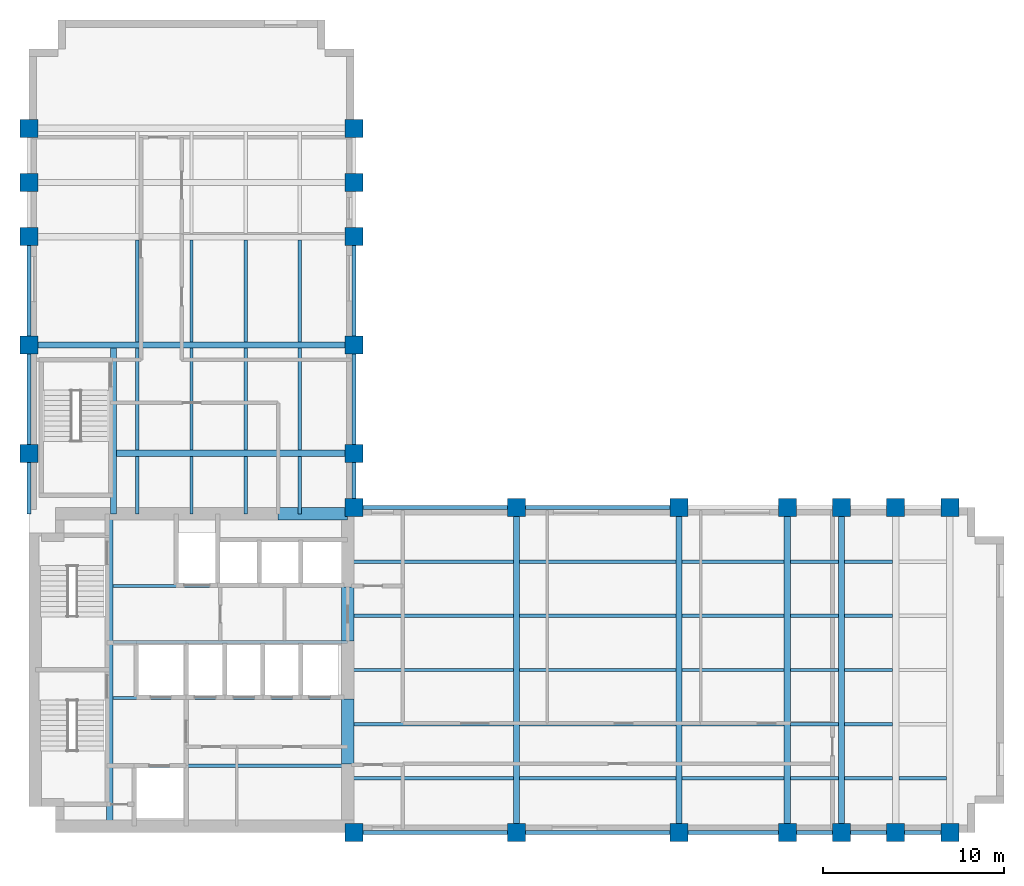
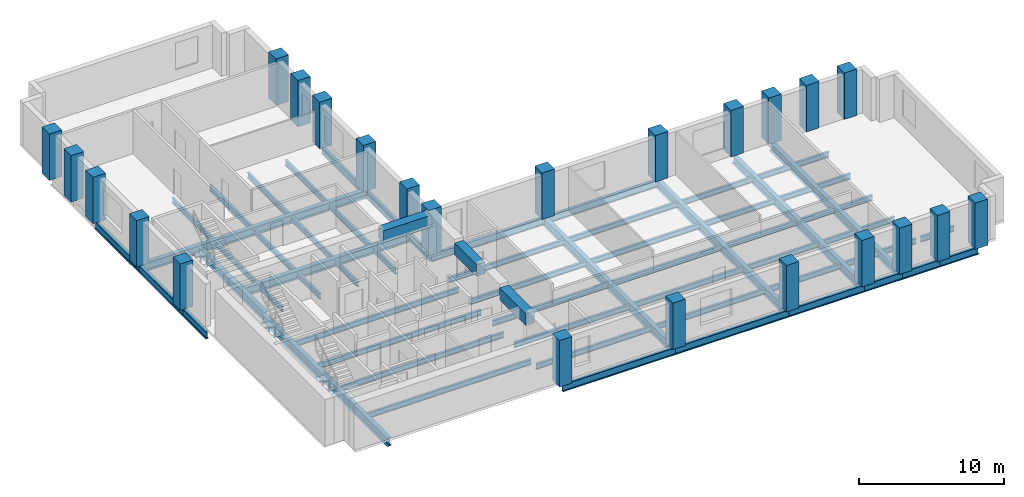
# One storey, part 1 of 7: 67 beams, 24 columns.
"""IFC4 building model written with IfcOpenShell, lengths in metres."""

from ifc_helpers import new_model, si_unit, direction, frame, origin, origin_2d, place, context, subcontext, project, spatial, rectangle, i_section, extrude, material, material_profile, profile_set, type_object, element, save


model = new_model("IFC4")

# Units and contexts
model_context = context("Model", 3, precision=1e-05, world=origin(), true_north=direction((0.0, 1.0)))
body_context = subcontext(model_context, "Body", "Model", "MODEL_VIEW")
ifc_project = project(units=[si_unit("LENGTHUNIT", "METRE"), si_unit("AREAUNIT", "SQUARE_METRE"), si_unit("VOLUMEUNIT", "CUBIC_METRE"), si_unit("PLANEANGLEUNIT", "RADIAN"), si_unit("MASSUNIT", "GRAM", prefix="KILO")], contexts=[model_context])

# Site, building, storey
site_placement = place(None, origin())
site = spatial("IfcSite", under=ifc_project, at=site_placement, CompositionType="ELEMENT")
building_placement = place(site_placement, origin())
building = spatial("IfcBuilding", under=site, at=building_placement, Name="Mawjdan Bourse Tower", CompositionType="ELEMENT")
storey_placement = place(building_placement, frame((0.0, 0.0, 151.800048828125)))
storey = spatial("IfcBuildingStorey", under=building, at=storey_placement, Name="L36", CompositionType="ELEMENT", Elevation=151.800048828125)

# Columns
ifc_material_1 = material(Name="Concrete C70/85", Category="concrete")
ifc_material_profile_1 = material_profile(ifc_material_1, rectangle(XDim=1.0, YDim=1.0, at=origin_2d()), Name="RC1000X1000")
ifc_profile_set_1 = profile_set([ifc_material_profile_1], Name="Concrete C70/85")
column_type = type_object("IfcColumnType", Name="COL-RC1000X1000", PredefinedType="COLUMN", material=ifc_profile_set_1)
for number, where, z_axis, x_axis, name in (
    (1, (24.0, 3.0, 0.0), (0.0, 0.0, 1.0), (1.0, 0.0, 0.0), "L36 Structural Column C-X240-Y30"),
    (2, (24.0, 21.0, 0.0), (0.0, 0.0, 1.0), (1.0, 0.0, 0.0), "L36 Structural Column C-X240-Y210"),
    (3, (33.0, 3.0, 0.0), (0.0, 0.0, 1.0), (1.0, 0.0, 0.0), "L36 Structural Column C-X330-Y30"),
    (4, (33.0, 21.0, 0.0), (0.0, 0.0, 1.0), (1.0, 0.0, 0.0), "L36 Structural Column C-X330-Y210"),
    (5, (42.0, 3.0, 0.0), (0.0, 0.0, 1.0), (1.0, 0.0, 0.0), "L36 Structural Column C-X420-Y30"),
    (6, (42.0, 21.0, 0.0), (0.0, 0.0, 1.0), (1.0, 0.0, 0.0), "L36 Structural Column C-X420-Y210"),
    (7, (48.0, 3.0, 0.0), (0.0, 0.0, 1.0), (1.0, 0.0, 0.0), "L36 Structural Column C-X480-Y30"),
    (8, (48.0, 21.0, 0.0), (0.0, 0.0, 1.0), (1.0, 0.0, 0.0), "L36 Structural Column C-X480-Y210"),
    (9, (51.0, 3.0, 0.0), (0.0, 0.0, 1.0), (1.0, 0.0, 0.0), "L36 Structural Column C-X510-Y30"),
    (10, (51.0, 21.0, 0.0), (0.0, 0.0, 1.0), (1.0, 0.0, 0.0), "L36 Structural Column C-X510-Y210"),
    (11, (54.0, 3.0, 0.0), (0.0, 0.0, 1.0), (1.0, 0.0, 0.0), "L36 Structural Column C-X540-Y30"),
    (12, (54.0, 21.0, 0.0), (0.0, 0.0, 1.0), (1.0, 0.0, 0.0), "L36 Structural Column C-X540-Y210"),
    (13, (57.0, 3.0, 0.0), (0.0, 0.0, 1.0), (1.0, 0.0, 0.0), "L36 Structural Column C-X570-Y30"),
    (14, (57.0, 21.0, 0.0), (0.0, 0.0, 1.0), (1.0, 0.0, 0.0), "L36 Structural Column C-X570-Y210"),
    (15, (6.0, 24.0, 0.0), (0.0, 0.0, 1.0), (1.0, 0.0, 0.0), "L36 Structural Column C-X60-Y240"),
    (16, (24.0, 24.0, 0.0), (0.0, 0.0, 1.0), (1.0, 0.0, 0.0), "L36 Structural Column C-X240-Y240"),
    (17, (6.0, 30.0, 0.0), (0.0, 0.0, 1.0), (1.0, 0.0, 0.0), "L36 Structural Column C-X60-Y300"),
    (18, (24.0, 30.0, 0.0), (0.0, 0.0, 1.0), (1.0, 0.0, 0.0), "L36 Structural Column C-X240-Y300"),
    (19, (6.0, 36.0, 0.0), (0.0, 0.0, 1.0), (1.0, 0.0, 0.0), "L36 Structural Column C-X60-Y360"),
    (20, (24.0, 36.0, 0.0), (0.0, 0.0, 1.0), (1.0, 0.0, 0.0), "L36 Structural Column C-X240-Y360"),
    (21, (6.0, 39.0, 0.0), (0.0, 0.0, 1.0), (1.0, 0.0, 0.0), "L36 Structural Column C-X60-Y390"),
    (22, (24.0, 39.0, 0.0), (0.0, 0.0, 1.0), (1.0, 0.0, 0.0), "L36 Structural Column C-X240-Y390"),
    (23, (6.0, 42.0, 0.0), (0.0, 0.0, 1.0), (1.0, 0.0, 0.0), "L36 Structural Column C-X60-Y420"),
    (24, (24.0, 42.0, 0.0), (0.0, 0.0, 1.0), (1.0, 0.0, 0.0), "L36 Structural Column C-X240-Y420"),
):
    element("IfcColumn", number, at=place(storey_placement, frame(where, z_axis=z_axis, x_axis=x_axis)), inside=storey, type_object=column_type, Name=name, PredefinedType="COLUMN", context=body_context, shape_type="SweptSolid", body=[
        extrude(rectangle(XDim=1.0, YDim=1.0, at=origin_2d()), origin(), (0.0, 0.0, 1.0), 3.89990234375),
    ])

# Beams
ifc_material_2 = material(Name="Structural Steel S355", Category="steel")
ifc_material_profile_2 = material_profile(ifc_material_2, i_section(OverallWidth=0.35498046875, OverallDepth=0.696044921875, WebThickness=0.015380859375, FlangeThickness=0.02490234375, FilletRadius=0.019775390625, at=origin_2d()), Name="W27X146")
ifc_profile_set_2 = profile_set([ifc_material_profile_2], Name="Structural Steel S355")
beam_type_1 = type_object("IfcBeamType", Name="GRD-W27X146", PredefinedType="BEAM", material=ifc_profile_set_2)
beam_1_placement = place(storey_placement, frame((10.47998046875, 3.35009765625, -0.548095703125), z_axis=(0.0, 1.0, 0.0), x_axis=(-1.0, 0.0, 0.0)))
element("IfcBeam", 25, at=beam_1_placement, inside=storey, type_object=beam_type_1, Name="L36 Core Stair Trimmer Girder 001", PredefinedType="BEAM", context=body_context, shape_type="SweptSolid", body=[
    extrude(i_section(OverallWidth=0.35498046875, OverallDepth=0.696044921875, WebThickness=0.015380859375, FlangeThickness=0.02490234375, FilletRadius=0.019775390625, at=origin_2d()), origin(), (0.0, 0.0, 1.0), 17.2998046875),
])
for number, where, z_axis, x_axis, name in (
    (26, (33.0, 3.0, -0.548095703125), (0.0, 1.0, 0.0), (-1.0, 0.0, 0.0), "L36 East Wing Clear-Span Girder 002"),
    (27, (42.0, 3.0, -0.548095703125), (0.0, 1.0, 0.0), (-1.0, 0.0, 0.0), "L36 East Wing Clear-Span Girder 003"),
    (28, (48.0, 3.0, -0.548095703125), (0.0, 1.0, 0.0), (-1.0, 0.0, 0.0), "L36 East Wing Clear-Span Girder 004"),
    (29, (51.0, 3.0, -0.548095703125), (0.0, 1.0, 0.0), (-1.0, 0.0, 0.0), "L36 East Wing Clear-Span Girder 005"),
):
    element("IfcBeam", number, at=place(storey_placement, frame(where, z_axis=z_axis, x_axis=x_axis)), inside=storey, type_object=beam_type_1, Name=name, PredefinedType="BEAM", context=body_context, shape_type="SweptSolid", body=[
        extrude(i_section(OverallWidth=0.35498046875, OverallDepth=0.696044921875, WebThickness=0.015380859375, FlangeThickness=0.02490234375, FilletRadius=0.019775390625, at=origin_2d()), origin(), (0.0, 0.0, 1.0), 18.0),
    ])
beam_2_placement = place(storey_placement, frame((10.679931640625, 20.64990234375, -0.548095703125), z_axis=(0.0, 1.0, 0.0), x_axis=(-1.0, 0.0, 0.0)))
element("IfcBeam", 30, at=beam_2_placement, inside=storey, type_object=beam_type_1, Name="L36 North Wing Stair Trimmer Girder 054", PredefinedType="BEAM", context=body_context, shape_type="SweptSolid", body=[
    extrude(i_section(OverallWidth=0.35498046875, OverallDepth=0.696044921875, WebThickness=0.015380859375, FlangeThickness=0.02490234375, FilletRadius=0.019775390625, at=origin_2d()), origin(), (0.0, 0.0, 1.0), 9.174560546875),
])
beam_3_placement = place(storey_placement, frame((10.85546875, 24.0, -0.548095703125), z_axis=(1.0, 0.0, 0.0), x_axis=(0.0, 1.0, 0.0)))
element("IfcBeam", 31, at=beam_3_placement, inside=storey, type_object=beam_type_1, Name="L36 North Wing Clear-Span Girder 055", PredefinedType="BEAM", context=body_context, shape_type="SweptSolid", body=[
    extrude(i_section(OverallWidth=0.35498046875, OverallDepth=0.696044921875, WebThickness=0.015380859375, FlangeThickness=0.02490234375, FilletRadius=0.019775390625, at=origin_2d()), origin(), (0.0, 0.0, 1.0), 13.14453125),
])
beam_4_placement = place(storey_placement, frame((6.0, 30.0, -0.548095703125), z_axis=(1.0, 0.0, 0.0), x_axis=(0.0, 1.0, 0.0)))
element("IfcBeam", 32, at=beam_4_placement, inside=storey, type_object=beam_type_1, Name="L36 North Wing Clear-Span Girder 056", PredefinedType="BEAM", context=body_context, shape_type="SweptSolid", body=[
    extrude(i_section(OverallWidth=0.35498046875, OverallDepth=0.696044921875, WebThickness=0.015380859375, FlangeThickness=0.02490234375, FilletRadius=0.019775390625, at=origin_2d()), origin(), (0.0, 0.0, 1.0), 18.0),
])
ifc_material_profile_3 = material_profile(ifc_material_2, i_section(OverallWidth=0.18994140625, OverallDepth=0.45703125, WebThickness=0.009033203125, FlangeThickness=0.014404296875, FilletRadius=0.01171875, at=origin_2d()), Name="W18X50")
ifc_profile_set_3 = profile_set([ifc_material_profile_3], Name="Structural Steel S355")
beam_type_2 = type_object("IfcBeamType", Name="JST-W18X50", PredefinedType="JOIST", material=ifc_profile_set_3)
beam_5_placement = place(storey_placement, frame((23.64990234375, 6.0, -0.428466796875), z_axis=(1.0, 0.0, 0.0), x_axis=(0.0, 1.0, 0.0)))
element("IfcBeam", 33, at=beam_5_placement, inside=storey, type_object=beam_type_2, Name="L36 East Wing Composite Joist 020", PredefinedType="JOIST", context=body_context, shape_type="SweptSolid", body=[
    extrude(i_section(OverallWidth=0.18994140625, OverallDepth=0.45703125, WebThickness=0.009033203125, FlangeThickness=0.014404296875, FilletRadius=0.01171875, at=origin_2d()), origin(), (0.0, 0.0, 1.0), 9.174560546875),
])
beam_6_placement = place(storey_placement, frame((33.175537109375, 6.0, -0.428466796875), z_axis=(1.0, 0.0, 0.0), x_axis=(0.0, 1.0, 0.0)))
element("IfcBeam", 34, at=beam_6_placement, inside=storey, type_object=beam_type_2, Name="L36 East Wing Composite Joist 021", PredefinedType="JOIST", context=body_context, shape_type="SweptSolid", body=[
    extrude(i_section(OverallWidth=0.18994140625, OverallDepth=0.45703125, WebThickness=0.009033203125, FlangeThickness=0.014404296875, FilletRadius=0.01171875, at=origin_2d()), origin(), (0.0, 0.0, 1.0), 8.64892578125),
])
beam_7_placement = place(storey_placement, frame((42.175537109375, 6.0, -0.428466796875), z_axis=(1.0, 0.0, 0.0), x_axis=(0.0, 1.0, 0.0)))
element("IfcBeam", 35, at=beam_7_placement, inside=storey, type_object=beam_type_2, Name="L36 East Wing Composite Joist 022", PredefinedType="JOIST", context=body_context, shape_type="SweptSolid", body=[
    extrude(i_section(OverallWidth=0.18994140625, OverallDepth=0.45703125, WebThickness=0.009033203125, FlangeThickness=0.014404296875, FilletRadius=0.01171875, at=origin_2d()), origin(), (0.0, 0.0, 1.0), 5.64892578125),
])
for number, where, z_axis, x_axis, name in (
    (36, (48.175537109375, 6.0, -0.428466796875), (1.0, 0.0, 0.0), (0.0, 1.0, 0.0), "L36 East Wing Composite Joist 023"),
    (37, (51.175537109375, 6.0, -0.428466796875), (1.0, 0.0, 0.0), (0.0, 1.0, 0.0), "L36 East Wing Composite Joist 024"),
    (38, (54.175537109375, 6.0, -0.428466796875), (1.0, 0.0, 0.0), (0.0, 1.0, 0.0), "L36 East Wing Composite Joist 025"),
):
    element("IfcBeam", number, at=place(storey_placement, frame(where, z_axis=z_axis, x_axis=x_axis)), inside=storey, type_object=beam_type_2, Name=name, PredefinedType="JOIST", context=body_context, shape_type="SweptSolid", body=[
        extrude(i_section(OverallWidth=0.18994140625, OverallDepth=0.45703125, WebThickness=0.009033203125, FlangeThickness=0.014404296875, FilletRadius=0.01171875, at=origin_2d()), origin(), (0.0, 0.0, 1.0), 2.64892578125),
    ])
beam_8_placement = place(storey_placement, frame((23.64990234375, 9.0, -0.428466796875), z_axis=(1.0, 0.0, 0.0), x_axis=(0.0, 1.0, 0.0)))
element("IfcBeam", 39, at=beam_8_placement, inside=storey, type_object=beam_type_2, Name="L36 East Wing Composite Joist 026", PredefinedType="JOIST", context=body_context, shape_type="SweptSolid", body=[
    extrude(i_section(OverallWidth=0.18994140625, OverallDepth=0.45703125, WebThickness=0.009033203125, FlangeThickness=0.014404296875, FilletRadius=0.01171875, at=origin_2d()), origin(), (0.0, 0.0, 1.0), 9.174560546875),
])
beam_9_placement = place(storey_placement, frame((33.175537109375, 9.0, -0.428466796875), z_axis=(1.0, 0.0, 0.0), x_axis=(0.0, 1.0, 0.0)))
element("IfcBeam", 40, at=beam_9_placement, inside=storey, type_object=beam_type_2, Name="L36 East Wing Composite Joist 027", PredefinedType="JOIST", context=body_context, shape_type="SweptSolid", body=[
    extrude(i_section(OverallWidth=0.18994140625, OverallDepth=0.45703125, WebThickness=0.009033203125, FlangeThickness=0.014404296875, FilletRadius=0.01171875, at=origin_2d()), origin(), (0.0, 0.0, 1.0), 8.64892578125),
])
beam_10_placement = place(storey_placement, frame((42.175537109375, 9.0, -0.428466796875), z_axis=(1.0, 0.0, 0.0), x_axis=(0.0, 1.0, 0.0)))
element("IfcBeam", 41, at=beam_10_placement, inside=storey, type_object=beam_type_2, Name="L36 East Wing Composite Joist 028", PredefinedType="JOIST", context=body_context, shape_type="SweptSolid", body=[
    extrude(i_section(OverallWidth=0.18994140625, OverallDepth=0.45703125, WebThickness=0.009033203125, FlangeThickness=0.014404296875, FilletRadius=0.01171875, at=origin_2d()), origin(), (0.0, 0.0, 1.0), 5.64892578125),
])
for number, where, z_axis, x_axis, name in (
    (42, (48.175537109375, 9.0, -0.428466796875), (1.0, 0.0, 0.0), (0.0, 1.0, 0.0), "L36 East Wing Composite Joist 029"),
    (43, (51.175537109375, 9.0, -0.428466796875), (1.0, 0.0, 0.0), (0.0, 1.0, 0.0), "L36 East Wing Composite Joist 030"),
):
    element("IfcBeam", number, at=place(storey_placement, frame(where, z_axis=z_axis, x_axis=x_axis)), inside=storey, type_object=beam_type_2, Name=name, PredefinedType="JOIST", context=body_context, shape_type="SweptSolid", body=[
        extrude(i_section(OverallWidth=0.18994140625, OverallDepth=0.45703125, WebThickness=0.009033203125, FlangeThickness=0.014404296875, FilletRadius=0.01171875, at=origin_2d()), origin(), (0.0, 0.0, 1.0), 2.64892578125),
    ])
beam_11_placement = place(storey_placement, frame((23.64990234375, 12.0, -0.428466796875), z_axis=(1.0, 0.0, 0.0), x_axis=(0.0, 1.0, 0.0)))
element("IfcBeam", 44, at=beam_11_placement, inside=storey, type_object=beam_type_2, Name="L36 East Wing Composite Joist 032", PredefinedType="JOIST", context=body_context, shape_type="SweptSolid", body=[
    extrude(i_section(OverallWidth=0.18994140625, OverallDepth=0.45703125, WebThickness=0.009033203125, FlangeThickness=0.014404296875, FilletRadius=0.01171875, at=origin_2d()), origin(), (0.0, 0.0, 1.0), 9.174560546875),
])
beam_12_placement = place(storey_placement, frame((33.175537109375, 12.0, -0.428466796875), z_axis=(1.0, 0.0, 0.0), x_axis=(0.0, 1.0, 0.0)))
element("IfcBeam", 45, at=beam_12_placement, inside=storey, type_object=beam_type_2, Name="L36 East Wing Composite Joist 033", PredefinedType="JOIST", context=body_context, shape_type="SweptSolid", body=[
    extrude(i_section(OverallWidth=0.18994140625, OverallDepth=0.45703125, WebThickness=0.009033203125, FlangeThickness=0.014404296875, FilletRadius=0.01171875, at=origin_2d()), origin(), (0.0, 0.0, 1.0), 8.64892578125),
])
beam_13_placement = place(storey_placement, frame((42.175537109375, 12.0, -0.428466796875), z_axis=(1.0, 0.0, 0.0), x_axis=(0.0, 1.0, 0.0)))
element("IfcBeam", 46, at=beam_13_placement, inside=storey, type_object=beam_type_2, Name="L36 East Wing Composite Joist 034", PredefinedType="JOIST", context=body_context, shape_type="SweptSolid", body=[
    extrude(i_section(OverallWidth=0.18994140625, OverallDepth=0.45703125, WebThickness=0.009033203125, FlangeThickness=0.014404296875, FilletRadius=0.01171875, at=origin_2d()), origin(), (0.0, 0.0, 1.0), 5.64892578125),
])
for number, where, z_axis, x_axis, name in (
    (47, (48.175537109375, 12.0, -0.428466796875), (1.0, 0.0, 0.0), (0.0, 1.0, 0.0), "L36 East Wing Composite Joist 035"),
    (48, (51.175537109375, 12.0, -0.428466796875), (1.0, 0.0, 0.0), (0.0, 1.0, 0.0), "L36 East Wing Composite Joist 036"),
):
    element("IfcBeam", number, at=place(storey_placement, frame(where, z_axis=z_axis, x_axis=x_axis)), inside=storey, type_object=beam_type_2, Name=name, PredefinedType="JOIST", context=body_context, shape_type="SweptSolid", body=[
        extrude(i_section(OverallWidth=0.18994140625, OverallDepth=0.45703125, WebThickness=0.009033203125, FlangeThickness=0.014404296875, FilletRadius=0.01171875, at=origin_2d()), origin(), (0.0, 0.0, 1.0), 2.64892578125),
    ])
beam_14_placement = place(storey_placement, frame((23.64990234375, 15.0, -0.428466796875), z_axis=(1.0, 0.0, 0.0), x_axis=(0.0, 1.0, 0.0)))
element("IfcBeam", 49, at=beam_14_placement, inside=storey, type_object=beam_type_2, Name="L36 East Wing Composite Joist 038", PredefinedType="JOIST", context=body_context, shape_type="SweptSolid", body=[
    extrude(i_section(OverallWidth=0.18994140625, OverallDepth=0.45703125, WebThickness=0.009033203125, FlangeThickness=0.014404296875, FilletRadius=0.01171875, at=origin_2d()), origin(), (0.0, 0.0, 1.0), 9.174560546875),
])
beam_15_placement = place(storey_placement, frame((33.175537109375, 15.0, -0.428466796875), z_axis=(1.0, 0.0, 0.0), x_axis=(0.0, 1.0, 0.0)))
element("IfcBeam", 50, at=beam_15_placement, inside=storey, type_object=beam_type_2, Name="L36 East Wing Composite Joist 039", PredefinedType="JOIST", context=body_context, shape_type="SweptSolid", body=[
    extrude(i_section(OverallWidth=0.18994140625, OverallDepth=0.45703125, WebThickness=0.009033203125, FlangeThickness=0.014404296875, FilletRadius=0.01171875, at=origin_2d()), origin(), (0.0, 0.0, 1.0), 8.64892578125),
])
beam_16_placement = place(storey_placement, frame((42.175537109375, 15.0, -0.428466796875), z_axis=(1.0, 0.0, 0.0), x_axis=(0.0, 1.0, 0.0)))
element("IfcBeam", 51, at=beam_16_placement, inside=storey, type_object=beam_type_2, Name="L36 East Wing Composite Joist 040", PredefinedType="JOIST", context=body_context, shape_type="SweptSolid", body=[
    extrude(i_section(OverallWidth=0.18994140625, OverallDepth=0.45703125, WebThickness=0.009033203125, FlangeThickness=0.014404296875, FilletRadius=0.01171875, at=origin_2d()), origin(), (0.0, 0.0, 1.0), 5.64892578125),
])
for number, where, z_axis, x_axis, name in (
    (52, (48.175537109375, 15.0, -0.428466796875), (1.0, 0.0, 0.0), (0.0, 1.0, 0.0), "L36 East Wing Composite Joist 041"),
    (53, (51.175537109375, 15.0, -0.428466796875), (1.0, 0.0, 0.0), (0.0, 1.0, 0.0), "L36 East Wing Composite Joist 042"),
):
    element("IfcBeam", number, at=place(storey_placement, frame(where, z_axis=z_axis, x_axis=x_axis)), inside=storey, type_object=beam_type_2, Name=name, PredefinedType="JOIST", context=body_context, shape_type="SweptSolid", body=[
        extrude(i_section(OverallWidth=0.18994140625, OverallDepth=0.45703125, WebThickness=0.009033203125, FlangeThickness=0.014404296875, FilletRadius=0.01171875, at=origin_2d()), origin(), (0.0, 0.0, 1.0), 2.64892578125),
    ])
beam_17_placement = place(storey_placement, frame((23.64990234375, 18.0, -0.428466796875), z_axis=(1.0, 0.0, 0.0), x_axis=(0.0, 1.0, 0.0)))
element("IfcBeam", 54, at=beam_17_placement, inside=storey, type_object=beam_type_2, Name="L36 East Wing Composite Joist 044", PredefinedType="JOIST", context=body_context, shape_type="SweptSolid", body=[
    extrude(i_section(OverallWidth=0.18994140625, OverallDepth=0.45703125, WebThickness=0.009033203125, FlangeThickness=0.014404296875, FilletRadius=0.01171875, at=origin_2d()), origin(), (0.0, 0.0, 1.0), 9.174560546875),
])
beam_18_placement = place(storey_placement, frame((33.175537109375, 18.0, -0.428466796875), z_axis=(1.0, 0.0, 0.0), x_axis=(0.0, 1.0, 0.0)))
element("IfcBeam", 55, at=beam_18_placement, inside=storey, type_object=beam_type_2, Name="L36 East Wing Composite Joist 045", PredefinedType="JOIST", context=body_context, shape_type="SweptSolid", body=[
    extrude(i_section(OverallWidth=0.18994140625, OverallDepth=0.45703125, WebThickness=0.009033203125, FlangeThickness=0.014404296875, FilletRadius=0.01171875, at=origin_2d()), origin(), (0.0, 0.0, 1.0), 8.64892578125),
])
beam_19_placement = place(storey_placement, frame((42.175537109375, 18.0, -0.428466796875), z_axis=(1.0, 0.0, 0.0), x_axis=(0.0, 1.0, 0.0)))
element("IfcBeam", 56, at=beam_19_placement, inside=storey, type_object=beam_type_2, Name="L36 East Wing Composite Joist 046", PredefinedType="JOIST", context=body_context, shape_type="SweptSolid", body=[
    extrude(i_section(OverallWidth=0.18994140625, OverallDepth=0.45703125, WebThickness=0.009033203125, FlangeThickness=0.014404296875, FilletRadius=0.01171875, at=origin_2d()), origin(), (0.0, 0.0, 1.0), 5.64892578125),
])
for number, where, z_axis, x_axis, name in (
    (57, (48.175537109375, 18.0, -0.428466796875), (1.0, 0.0, 0.0), (0.0, 1.0, 0.0), "L36 East Wing Composite Joist 047"),
    (58, (51.175537109375, 18.0, -0.428466796875), (1.0, 0.0, 0.0), (0.0, 1.0, 0.0), "L36 East Wing Composite Joist 048"),
):
    element("IfcBeam", number, at=place(storey_placement, frame(where, z_axis=z_axis, x_axis=x_axis)), inside=storey, type_object=beam_type_2, Name=name, PredefinedType="JOIST", context=body_context, shape_type="SweptSolid", body=[
        extrude(i_section(OverallWidth=0.18994140625, OverallDepth=0.45703125, WebThickness=0.009033203125, FlangeThickness=0.014404296875, FilletRadius=0.01171875, at=origin_2d()), origin(), (0.0, 0.0, 1.0), 2.64892578125),
    ])
for number, where, z_axis, x_axis, name in (
    (59, (10.655517578125, 6.699951171875, -0.428466796875), (1.0, 0.0, 0.0), (0.0, 1.0, 0.0), "L36 Core Floor Joist 050"),
    (60, (10.655517578125, 10.449951171875, -0.428466796875), (1.0, 0.0, 0.0), (0.0, 1.0, 0.0), "L36 Core Floor Joist 051"),
    (61, (10.655517578125, 13.550048828125, -0.428466796875), (1.0, 0.0, 0.0), (0.0, 1.0, 0.0), "L36 Core Floor Joist 052"),
    (62, (10.655517578125, 16.64990234375, -0.428466796875), (1.0, 0.0, 0.0), (0.0, 1.0, 0.0), "L36 Core Floor Joist 053"),
):
    element("IfcBeam", number, at=place(storey_placement, frame(where, z_axis=z_axis, x_axis=x_axis)), inside=storey, type_object=beam_type_2, Name=name, PredefinedType="JOIST", context=body_context, shape_type="SweptSolid", body=[
        extrude(i_section(OverallWidth=0.18994140625, OverallDepth=0.45703125, WebThickness=0.009033203125, FlangeThickness=0.014404296875, FilletRadius=0.01171875, at=origin_2d()), origin(), (0.0, 0.0, 1.0), 12.994384765625),
    ])
beam_20_placement = place(storey_placement, frame((12.0, 20.64990234375, -0.428466796875), z_axis=(0.0, 1.0, 0.0), x_axis=(-1.0, 0.0, 0.0)))
element("IfcBeam", 63, at=beam_20_placement, inside=storey, type_object=beam_type_2, Name="L36 North Wing Composite Joist 070", PredefinedType="JOIST", context=body_context, shape_type="SweptSolid", body=[
    extrude(i_section(OverallWidth=0.18994140625, OverallDepth=0.45703125, WebThickness=0.009033203125, FlangeThickness=0.014404296875, FilletRadius=0.01171875, at=origin_2d()), origin(), (0.0, 0.0, 1.0), 3.174560546875),
])
for number, where, z_axis, x_axis, name in (
    (64, (12.0, 24.175537109375, -0.428466796875), (0.0, 1.0, 0.0), (-1.0, 0.0, 0.0), "L36 North Wing Composite Joist 071"),
    (65, (12.0, 30.175537109375, -0.428466796875), (0.0, 1.0, 0.0), (-1.0, 0.0, 0.0), "L36 North Wing Composite Joist 072"),
):
    element("IfcBeam", number, at=place(storey_placement, frame(where, z_axis=z_axis, x_axis=x_axis)), inside=storey, type_object=beam_type_2, Name=name, PredefinedType="JOIST", context=body_context, shape_type="SweptSolid", body=[
        extrude(i_section(OverallWidth=0.18994140625, OverallDepth=0.45703125, WebThickness=0.009033203125, FlangeThickness=0.014404296875, FilletRadius=0.01171875, at=origin_2d()), origin(), (0.0, 0.0, 1.0), 5.64892578125),
    ])
beam_21_placement = place(storey_placement, frame((15.0, 20.64990234375, -0.428466796875), z_axis=(0.0, 1.0, 0.0), x_axis=(-1.0, 0.0, 0.0)))
element("IfcBeam", 66, at=beam_21_placement, inside=storey, type_object=beam_type_2, Name="L36 North Wing Composite Joist 075", PredefinedType="JOIST", context=body_context, shape_type="SweptSolid", body=[
    extrude(i_section(OverallWidth=0.18994140625, OverallDepth=0.45703125, WebThickness=0.009033203125, FlangeThickness=0.014404296875, FilletRadius=0.01171875, at=origin_2d()), origin(), (0.0, 0.0, 1.0), 3.174560546875),
])
for number, where, z_axis, x_axis, name in (
    (67, (15.0, 24.175537109375, -0.428466796875), (0.0, 1.0, 0.0), (-1.0, 0.0, 0.0), "L36 North Wing Composite Joist 076"),
    (68, (15.0, 30.175537109375, -0.428466796875), (0.0, 1.0, 0.0), (-1.0, 0.0, 0.0), "L36 North Wing Composite Joist 077"),
):
    element("IfcBeam", number, at=place(storey_placement, frame(where, z_axis=z_axis, x_axis=x_axis)), inside=storey, type_object=beam_type_2, Name=name, PredefinedType="JOIST", context=body_context, shape_type="SweptSolid", body=[
        extrude(i_section(OverallWidth=0.18994140625, OverallDepth=0.45703125, WebThickness=0.009033203125, FlangeThickness=0.014404296875, FilletRadius=0.01171875, at=origin_2d()), origin(), (0.0, 0.0, 1.0), 5.64892578125),
    ])
beam_22_placement = place(storey_placement, frame((18.0, 20.64990234375, -0.428466796875), z_axis=(0.0, 1.0, 0.0), x_axis=(-1.0, 0.0, 0.0)))
element("IfcBeam", 69, at=beam_22_placement, inside=storey, type_object=beam_type_2, Name="L36 North Wing Composite Joist 080", PredefinedType="JOIST", context=body_context, shape_type="SweptSolid", body=[
    extrude(i_section(OverallWidth=0.18994140625, OverallDepth=0.45703125, WebThickness=0.009033203125, FlangeThickness=0.014404296875, FilletRadius=0.01171875, at=origin_2d()), origin(), (0.0, 0.0, 1.0), 3.174560546875),
])
for number, where, z_axis, x_axis, name in (
    (70, (18.0, 24.175537109375, -0.428466796875), (0.0, 1.0, 0.0), (-1.0, 0.0, 0.0), "L36 North Wing Composite Joist 081"),
    (71, (18.0, 30.175537109375, -0.428466796875), (0.0, 1.0, 0.0), (-1.0, 0.0, 0.0), "L36 North Wing Composite Joist 082"),
):
    element("IfcBeam", number, at=place(storey_placement, frame(where, z_axis=z_axis, x_axis=x_axis)), inside=storey, type_object=beam_type_2, Name=name, PredefinedType="JOIST", context=body_context, shape_type="SweptSolid", body=[
        extrude(i_section(OverallWidth=0.18994140625, OverallDepth=0.45703125, WebThickness=0.009033203125, FlangeThickness=0.014404296875, FilletRadius=0.01171875, at=origin_2d()), origin(), (0.0, 0.0, 1.0), 5.64892578125),
    ])
beam_23_placement = place(storey_placement, frame((21.0, 20.64990234375, -0.428466796875), z_axis=(0.0, 1.0, 0.0), x_axis=(-1.0, 0.0, 0.0)))
element("IfcBeam", 72, at=beam_23_placement, inside=storey, type_object=beam_type_2, Name="L36 North Wing Composite Joist 085", PredefinedType="JOIST", context=body_context, shape_type="SweptSolid", body=[
    extrude(i_section(OverallWidth=0.18994140625, OverallDepth=0.45703125, WebThickness=0.009033203125, FlangeThickness=0.014404296875, FilletRadius=0.01171875, at=origin_2d()), origin(), (0.0, 0.0, 1.0), 3.174560546875),
])
for number, where, z_axis, x_axis, name in (
    (73, (21.0, 24.175537109375, -0.428466796875), (0.0, 1.0, 0.0), (-1.0, 0.0, 0.0), "L36 North Wing Composite Joist 086"),
    (74, (21.0, 30.175537109375, -0.428466796875), (0.0, 1.0, 0.0), (-1.0, 0.0, 0.0), "L36 North Wing Composite Joist 087"),
):
    element("IfcBeam", number, at=place(storey_placement, frame(where, z_axis=z_axis, x_axis=x_axis)), inside=storey, type_object=beam_type_2, Name=name, PredefinedType="JOIST", context=body_context, shape_type="SweptSolid", body=[
        extrude(i_section(OverallWidth=0.18994140625, OverallDepth=0.45703125, WebThickness=0.009033203125, FlangeThickness=0.014404296875, FilletRadius=0.01171875, at=origin_2d()), origin(), (0.0, 0.0, 1.0), 5.64892578125),
    ])
ifc_material_profile_4 = material_profile(ifc_material_1, rectangle(XDim=0.699951171875, YDim=1.0, at=origin_2d()), Name="RCB700X1000")
ifc_profile_set_4 = profile_set([ifc_material_profile_4], Name="Concrete C70/85")
beam_type_3 = type_object("IfcBeamType", Name="LNT-RCB700X1000", PredefinedType="LINTEL", material=ifc_profile_set_4)
beam_24_placement = place(storey_placement, frame((23.64990234375, 6.800048828125, 3.119873046875), z_axis=(0.0, 1.0, 0.0), x_axis=(-1.0, 0.0, 0.0)))
element("IfcBeam", 75, at=beam_24_placement, inside=storey, type_object=beam_type_3, Name="L36 Coupled Core Lintel CB-E1", PredefinedType="LINTEL", context=body_context, shape_type="SweptSolid", body=[
    extrude(rectangle(XDim=0.699951171875, YDim=1.0, at=origin_2d()), origin(), (0.0, 0.0, 1.0), 3.599853515625),
])
beam_25_placement = place(storey_placement, frame((23.64990234375, 13.60009765625, 3.119873046875), z_axis=(0.0, 1.0, 0.0), x_axis=(-1.0, 0.0, 0.0)))
element("IfcBeam", 76, at=beam_25_placement, inside=storey, type_object=beam_type_3, Name="L36 Coupled Core Lintel CB-E2", PredefinedType="LINTEL", context=body_context, shape_type="SweptSolid", body=[
    extrude(rectangle(XDim=0.699951171875, YDim=1.0, at=origin_2d()), origin(), (0.0, 0.0, 1.0), 3.0),
])
beam_26_placement = place(storey_placement, frame((19.800048828125, 20.64990234375, 3.119873046875), z_axis=(1.0, 0.0, 0.0), x_axis=(0.0, 1.0, 0.0)))
element("IfcBeam", 77, at=beam_26_placement, inside=storey, type_object=beam_type_3, Name="L36 Coupled Core Lintel CB-N1", PredefinedType="LINTEL", context=body_context, shape_type="SweptSolid", body=[
    extrude(rectangle(XDim=0.699951171875, YDim=1.0, at=origin_2d()), origin(), (0.0, 0.0, 1.0), 3.849853515625),
])
ifc_material_profile_5 = material_profile(ifc_material_2, i_section(OverallWidth=0.22998046875, OverallDepth=0.616943359375, WebThickness=0.01318359375, FlangeThickness=0.022216796875, FilletRadius=0.017822265625, at=origin_2d()), Name="W24X94")
ifc_profile_set_5 = profile_set([ifc_material_profile_5], Name="Structural Steel S355")
beam_type_4 = type_object("IfcBeamType", Name="SPN-W24X94", PredefinedType="SPANDREL", material=ifc_profile_set_5)
for number, where, z_axis, x_axis, name in (
    (78, (24.0, 3.0, -0.508544921875), (1.0, 0.0, 0.0), (0.0, 1.0, 0.0), "L36 Perimeter Masonry-Shelf Spandrel 008"),
    (79, (33.0, 3.0, -0.508544921875), (1.0, 0.0, 0.0), (0.0, 1.0, 0.0), "L36 Perimeter Masonry-Shelf Spandrel 009"),
):
    element("IfcBeam", number, at=place(storey_placement, frame(where, z_axis=z_axis, x_axis=x_axis)), inside=storey, type_object=beam_type_4, Name=name, PredefinedType="SPANDREL", context=body_context, shape_type="SweptSolid", body=[
        extrude(i_section(OverallWidth=0.22998046875, OverallDepth=0.616943359375, WebThickness=0.01318359375, FlangeThickness=0.022216796875, FilletRadius=0.017822265625, at=origin_2d()), origin(), (0.0, 0.0, 1.0), 9.0),
    ])
beam_27_placement = place(storey_placement, frame((42.0, 3.0, -0.508544921875), z_axis=(1.0, 0.0, 0.0), x_axis=(0.0, 1.0, 0.0)))
element("IfcBeam", 80, at=beam_27_placement, inside=storey, type_object=beam_type_4, Name="L36 Perimeter Masonry-Shelf Spandrel 010", PredefinedType="SPANDREL", context=body_context, shape_type="SweptSolid", body=[
    extrude(i_section(OverallWidth=0.22998046875, OverallDepth=0.616943359375, WebThickness=0.01318359375, FlangeThickness=0.022216796875, FilletRadius=0.017822265625, at=origin_2d()), origin(), (0.0, 0.0, 1.0), 6.0),
])
for number, where, z_axis, x_axis, name in (
    (81, (48.0, 3.0, -0.508544921875), (1.0, 0.0, 0.0), (0.0, 1.0, 0.0), "L36 Perimeter Masonry-Shelf Spandrel 011"),
    (82, (51.0, 3.0, -0.508544921875), (1.0, 0.0, 0.0), (0.0, 1.0, 0.0), "L36 Perimeter Masonry-Shelf Spandrel 012"),
    (83, (54.0, 3.0, -0.508544921875), (1.0, 0.0, 0.0), (0.0, 1.0, 0.0), "L36 Perimeter Masonry-Shelf Spandrel 013"),
):
    element("IfcBeam", number, at=place(storey_placement, frame(where, z_axis=z_axis, x_axis=x_axis)), inside=storey, type_object=beam_type_4, Name=name, PredefinedType="SPANDREL", context=body_context, shape_type="SweptSolid", body=[
        extrude(i_section(OverallWidth=0.22998046875, OverallDepth=0.616943359375, WebThickness=0.01318359375, FlangeThickness=0.022216796875, FilletRadius=0.017822265625, at=origin_2d()), origin(), (0.0, 0.0, 1.0), 3.0),
    ])
for number, where, z_axis, x_axis, name in (
    (84, (24.0, 21.0, -0.508544921875), (1.0, 0.0, 0.0), (0.0, 1.0, 0.0), "L36 Perimeter Masonry-Shelf Spandrel 014"),
    (85, (33.0, 21.0, -0.508544921875), (1.0, 0.0, 0.0), (0.0, 1.0, 0.0), "L36 Perimeter Masonry-Shelf Spandrel 015"),
):
    element("IfcBeam", number, at=place(storey_placement, frame(where, z_axis=z_axis, x_axis=x_axis)), inside=storey, type_object=beam_type_4, Name=name, PredefinedType="SPANDREL", context=body_context, shape_type="SweptSolid", body=[
        extrude(i_section(OverallWidth=0.22998046875, OverallDepth=0.616943359375, WebThickness=0.01318359375, FlangeThickness=0.022216796875, FilletRadius=0.017822265625, at=origin_2d()), origin(), (0.0, 0.0, 1.0), 9.0),
    ])
beam_28_placement = place(storey_placement, frame((6.0, 20.64990234375, -0.508544921875), z_axis=(0.0, 1.0, 0.0), x_axis=(-1.0, 0.0, 0.0)))
element("IfcBeam", 86, at=beam_28_placement, inside=storey, type_object=beam_type_4, Name="L36 North Wing Spandrel 060", PredefinedType="SPANDREL", context=body_context, shape_type="SweptSolid", body=[
    extrude(i_section(OverallWidth=0.22998046875, OverallDepth=0.616943359375, WebThickness=0.01318359375, FlangeThickness=0.022216796875, FilletRadius=0.017822265625, at=origin_2d()), origin(), (0.0, 0.0, 1.0), 3.35009765625),
])
for number, where, z_axis, x_axis, name in (
    (87, (6.0, 24.0, -0.508544921875), (0.0, 1.0, 0.0), (-1.0, 0.0, 0.0), "L36 North Wing Spandrel 061"),
    (88, (6.0, 30.0, -0.508544921875), (0.0, 1.0, 0.0), (-1.0, 0.0, 0.0), "L36 North Wing Spandrel 062"),
):
    element("IfcBeam", number, at=place(storey_placement, frame(where, z_axis=z_axis, x_axis=x_axis)), inside=storey, type_object=beam_type_4, Name=name, PredefinedType="SPANDREL", context=body_context, shape_type="SweptSolid", body=[
        extrude(i_section(OverallWidth=0.22998046875, OverallDepth=0.616943359375, WebThickness=0.01318359375, FlangeThickness=0.022216796875, FilletRadius=0.017822265625, at=origin_2d()), origin(), (0.0, 0.0, 1.0), 6.0),
    ])
beam_29_placement = place(storey_placement, frame((24.0, 21.0, -0.508544921875), z_axis=(0.0, 1.0, 0.0), x_axis=(-1.0, 0.0, 0.0)))
element("IfcBeam", 89, at=beam_29_placement, inside=storey, type_object=beam_type_4, Name="L36 North Wing Spandrel 065", PredefinedType="SPANDREL", context=body_context, shape_type="SweptSolid", body=[
    extrude(i_section(OverallWidth=0.22998046875, OverallDepth=0.616943359375, WebThickness=0.01318359375, FlangeThickness=0.022216796875, FilletRadius=0.017822265625, at=origin_2d()), origin(), (0.0, 0.0, 1.0), 3.0),
])
for number, where, z_axis, x_axis, name in (
    (90, (24.0, 24.0, -0.508544921875), (0.0, 1.0, 0.0), (-1.0, 0.0, 0.0), "L36 North Wing Spandrel 066"),
    (91, (24.0, 30.0, -0.508544921875), (0.0, 1.0, 0.0), (-1.0, 0.0, 0.0), "L36 North Wing Spandrel 067"),
):
    element("IfcBeam", number, at=place(storey_placement, frame(where, z_axis=z_axis, x_axis=x_axis)), inside=storey, type_object=beam_type_4, Name=name, PredefinedType="SPANDREL", context=body_context, shape_type="SweptSolid", body=[
        extrude(i_section(OverallWidth=0.22998046875, OverallDepth=0.616943359375, WebThickness=0.01318359375, FlangeThickness=0.022216796875, FilletRadius=0.017822265625, at=origin_2d()), origin(), (0.0, 0.0, 1.0), 6.0),
    ])

save(model, "model.ifc")
